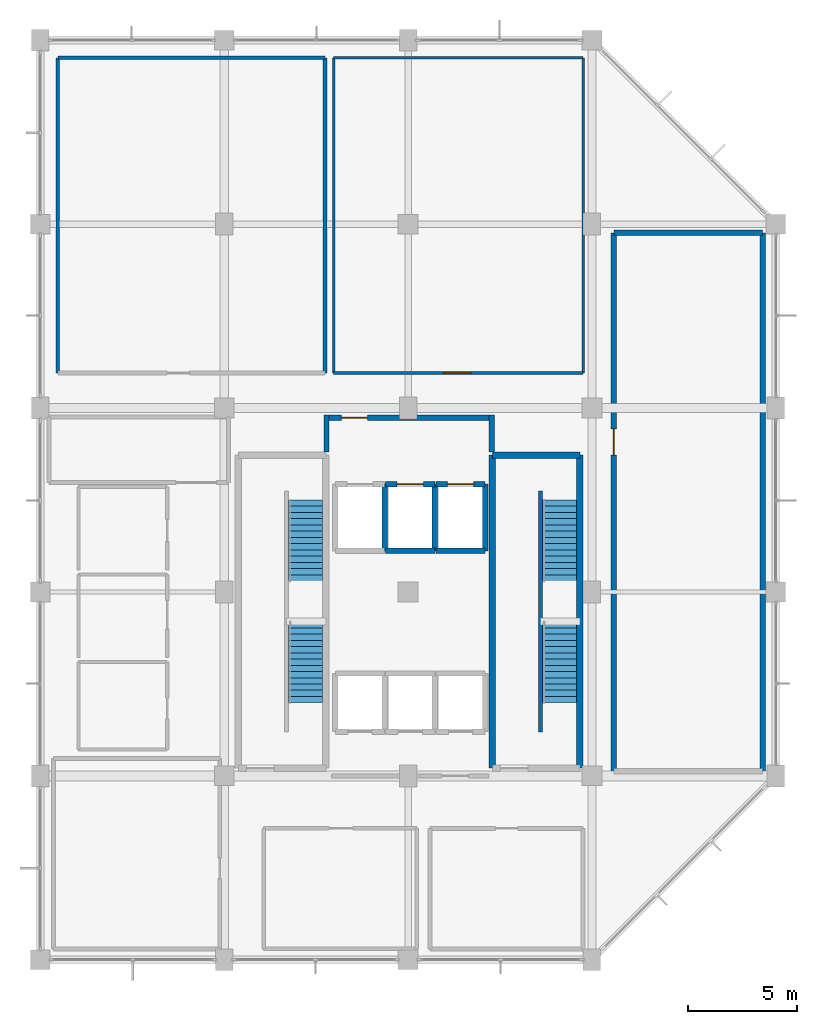
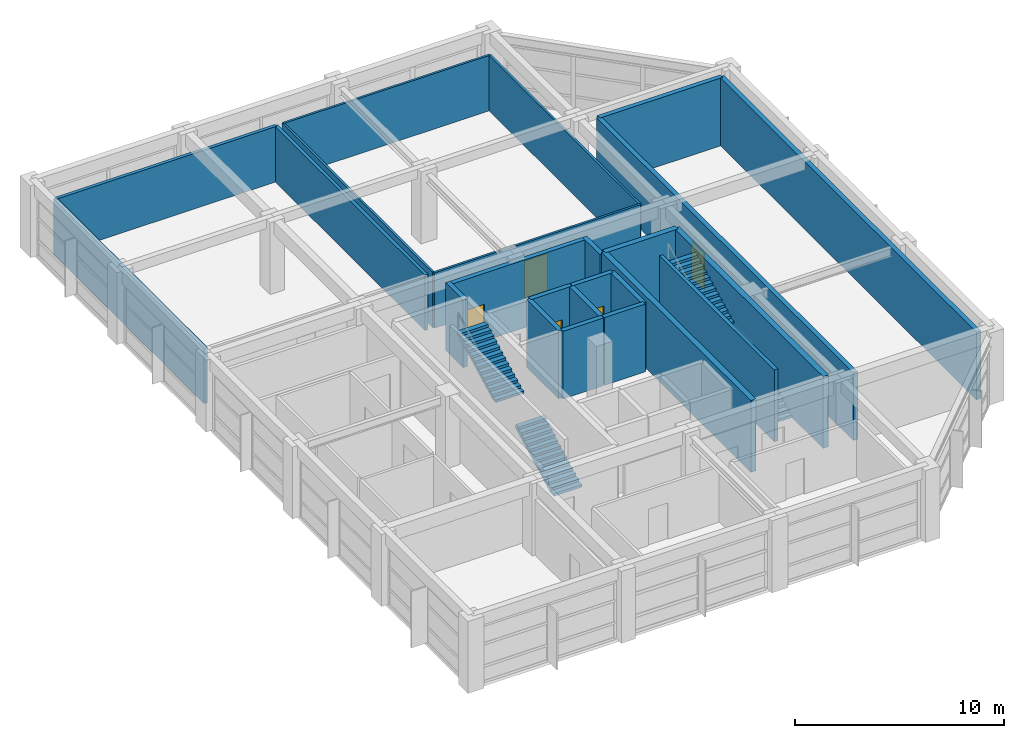
# One storey, part 11 of 12: 24 walls, 5 doors, 4 stair flights, 5 openings, 2 elements without a shape of their own.
"""IFC4 building model written with IfcOpenShell, lengths in metres."""

import ifcopenshell
import ifcopenshell.guid

model = None  # the IFC model being written
_history = None  # IfcOwnerHistory: only IFC2X3 demands one
_inside = {}  # id of a spatial element -> (the spatial element, [elements in it])
_under = {}  # id of a project, library or spatial element -> (it, [spatial elements below it])
_declared = {}  # id of a project -> (the project, [libraries it declares])
_typed = {}  # id of a type object -> (the type object, [elements of that type])
_made_of = {}  # id of a material, layer set ... -> (it, [elements and type objects made of it])


def new_model(schema):
    """Start an empty IFC model of exactly this schema.

    Asked for "IFC4X3", IfcOpenShell would pick the latest addendum, in which some entities
    have other attributes; the version numbers below select the first issue.
    IFC2X3 requires an IfcOwnerHistory on every rooted entity: one is made here for all.
    """
    global model, _history
    if schema == "IFC4X3":
        model = ifcopenshell.file(schema_version=(4, 3, 0, 0))
    else:
        model = ifcopenshell.file(schema=schema)
    _inside.clear()
    _under.clear()
    _declared.clear()
    _typed.clear()
    _made_of.clear()
    _history = None
    if model.schema == "IFC2X3":
        org = make("IfcOrganization", Name="unknown")
        user = make(
            "IfcPersonAndOrganization",
            ThePerson=make("IfcPerson", FamilyName="unknown"),
            TheOrganization=org,
        )
        app = make(
            "IfcApplication",
            ApplicationDeveloper=org,
            Version="unknown",
            ApplicationFullName="unknown",
            ApplicationIdentifier="unknown",
        )
        _history = make(
            "IfcOwnerHistory",
            OwningUser=user,
            OwningApplication=app,
            ChangeAction="ADDED",
            CreationDate=0,
        )
    return model


def make(cls, **values):
    """One entity of the class cls with the attributes given. An attribute that is None is left unset."""
    return model.create_entity(
        cls, **{name: value for name, value in values.items() if value is not None}
    )


def rooted(cls, **values):
    """An entity with a GlobalId (a new one), such as an element, a storey or a relation."""
    return make(cls, GlobalId=ifcopenshell.guid.new(), OwnerHistory=_history, **values)


def si_unit(unit_type, name, prefix=None):
    """IfcSIUnit, for example si_unit("LENGTHUNIT", "METRE", prefix="MILLI")."""
    return make("IfcSIUnit", UnitType=unit_type, Prefix=prefix, Name=name)


def assignment(units):
    """IfcUnitAssignment: the units of a project."""
    return None if units is None else make("IfcUnitAssignment", Units=units)


def point(xyz):
    """IfcCartesianPoint."""
    return None if xyz is None else make("IfcCartesianPoint", Coordinates=xyz)


def direction(xyz):
    """IfcDirection."""
    return None if xyz is None else make("IfcDirection", DirectionRatios=xyz)


def frame(location, z_axis=None, x_axis=None):
    """IfcAxis2Placement3D, a coordinate frame: its origin and axes. An axis left out is left unset."""
    return make(
        "IfcAxis2Placement3D",
        Location=point(location),
        Axis=direction(z_axis),
        RefDirection=direction(x_axis),
    )


def frame_2d(location, x_axis=None):
    """IfcAxis2Placement2D, a coordinate frame in the plane: its origin and x axis."""
    return make(
        "IfcAxis2Placement2D", Location=point(location), RefDirection=direction(x_axis)
    )


def origin():
    """The frame at (0, 0, 0) with its axes left unset."""
    return frame((0.0, 0.0, 0.0))


def place(relative_to, where):
    """IfcLocalPlacement: puts the frame where relative to a parent placement (None: the world)."""
    return make(
        "IfcLocalPlacement", PlacementRelTo=relative_to, RelativePlacement=where
    )


def context(
    kind, dimensions, precision=None, world=None, true_north=None, identifier=None
):
    """IfcGeometricRepresentationContext, for example the 3D "Model" context."""
    return make(
        "IfcGeometricRepresentationContext",
        ContextIdentifier=identifier,
        ContextType=kind,
        CoordinateSpaceDimension=dimensions,
        Precision=precision,
        WorldCoordinateSystem=world,
        TrueNorth=true_north,
    )


def subcontext(parent, identifier, kind, view, scale=None):
    """IfcGeometricRepresentationSubContext, for example "Body" below "Model"."""
    return make(
        "IfcGeometricRepresentationSubContext",
        ContextIdentifier=identifier,
        ContextType=kind,
        ParentContext=parent,
        TargetScale=scale,
        TargetView=view,
    )


def project(units=None, contexts=None):
    """IfcProject with its units and contexts."""
    return rooted(
        "IfcProject",
        Name="project",
        RepresentationContexts=contexts,
        UnitsInContext=assignment(units),
    )


def spatial(cls, under=None, at=None, **own):
    """A site, building, storey or space (cls), placed at a placement, below another one or the project."""
    s = rooted(cls, ObjectPlacement=at, **own)
    if under is not None:
        _under.setdefault(under.id(), (under, []))[1].append(s)
    return s


def polyline(points):
    """IfcPolyline through the points."""
    return make("IfcPolyline", Points=[point(p) for p in points])


def profile(cls, at=None, kind="AREA", **sizes):
    """A parametric profile (cls). Its sizes go by their IFC names, for example OverallWidth=200.0."""
    return make(cls, ProfileType=kind, Position=at, **sizes)


def rectangle(**sizes):
    """IfcRectangleProfileDef."""
    return profile("IfcRectangleProfileDef", **sizes)


def outline(outer, holes=None, kind="AREA"):
    """IfcArbitraryClosedProfileDef: a profile drawn as a closed curve; with holes, ...WithVoids."""
    if holes is None:
        return make("IfcArbitraryClosedProfileDef", ProfileType=kind, OuterCurve=outer)
    return make(
        "IfcArbitraryProfileDefWithVoids",
        ProfileType=kind,
        OuterCurve=outer,
        InnerCurves=holes,
    )


def extrude(swept, where, along, depth):
    """IfcExtrudedAreaSolid: the profile swept, set in the frame where, extruded along a direction by depth."""
    return make(
        "IfcExtrudedAreaSolid",
        SweptArea=swept,
        Position=where,
        ExtrudedDirection=direction(along),
        Depth=depth,
    )


def shape(context_of_items, identifier, shape_type, items):
    """IfcShapeRepresentation: the items that make up one representation, for example the "Body"."""
    return make(
        "IfcShapeRepresentation",
        ContextOfItems=context_of_items,
        RepresentationIdentifier=identifier,
        RepresentationType=shape_type,
        Items=items,
    )


def material(Name=None, Category=None):
    """IfcMaterial."""
    return make("IfcMaterial", Name=Name, Category=Category)


def layer(
    of_material, thickness, ventilated=None, Name=None, Category=None, Priority=None
):
    """IfcMaterialLayer: one layer of a wall or slab, of a material (None: an air gap)."""
    return make(
        "IfcMaterialLayer",
        Material=of_material,
        LayerThickness=thickness,
        IsVentilated=ventilated,
        Name=Name,
        Category=Category,
        Priority=Priority,
    )


def layer_set(layers, Name=None):
    """IfcMaterialLayerSet."""
    return make("IfcMaterialLayerSet", MaterialLayers=layers, LayerSetName=Name)


def made_of(thing, what):
    """Note that an element or type object is made of a material, layer set ...; save() writes the relation."""
    if what is not None:
        _made_of.setdefault(what.id(), (what, []))[1].append(thing)
    return thing


def type_object(cls, material=None, **own):
    """A type object (cls), such as IfcWallType, which elements share."""
    return made_of(rooted(cls, **own), material)


def element(
    cls,
    number,
    at=None,
    inside=None,
    cuts=None,
    type_object=None,
    material=None,
    context=None,
    identifier="Body",
    shape_type=None,
    held_by="IfcProductDefinitionShape",
    body=None,
    shapes=None,
    **own,
):
    """One element of the class cls, such as IfcWall. Its Tag is "e" and its number.

    at: its placement. inside: the storey or other place that contains it. cuts: it is an
    opening in that element (IfcRelVoidsElement). A single representation is given by context,
    identifier, shape_type and body (its items); several are given by shapes. held_by: the class
    of the entity that holds the representations. save() writes the other relations.
    """
    e = rooted(cls, Tag="e%d" % number, ObjectPlacement=at, **own)
    if body is not None:
        shapes = [shape(context, identifier, shape_type, body)]
    if shapes is not None:
        e.Representation = make(held_by, Representations=shapes)
    if inside is not None:
        _inside.setdefault(inside.id(), (inside, []))[1].append(e)
    if cuts is not None:
        rooted(
            "IfcRelVoidsElement", RelatingBuildingElement=cuts, RelatedOpeningElement=e
        )
    if type_object is not None:
        _typed.setdefault(type_object.id(), (type_object, []))[1].append(e)
    return made_of(e, material)


def fill(opening, filler):
    """IfcRelFillsElement: the door or window that sits in an opening."""
    return rooted(
        "IfcRelFillsElement",
        RelatingOpeningElement=opening,
        RelatedBuildingElement=filler,
    )


def aggregate(whole, parts):
    """IfcRelAggregates: a whole, such as a stair, and the parts it consists of."""
    return rooted("IfcRelAggregates", RelatingObject=whole, RelatedObjects=parts)


def save(model, path):
    """Write the relations noted so far, then the file.

    IfcRelAggregates (storeys below a building ...), IfcRelContainedInSpatialStructure (elements
    in a storey), IfcRelDefinesByType, IfcRelAssociatesMaterial and IfcRelDeclares: one each for
    every whole, place, type object, material and project.
    """
    for whole, parts in _under.values():
        aggregate(whole, parts)
    for where, things in _inside.values():
        rooted(
            "IfcRelContainedInSpatialStructure",
            RelatedElements=things,
            RelatingStructure=where,
        )
    for kind, things in _typed.values():
        rooted("IfcRelDefinesByType", RelatedObjects=things, RelatingType=kind)
    for what, things in _made_of.values():
        rooted("IfcRelAssociatesMaterial", RelatedObjects=things, RelatingMaterial=what)
    for by, libraries in _declared.values():
        rooted("IfcRelDeclares", RelatingContext=by, RelatedDefinitions=libraries)
    model.write(path)


model = new_model("IFC4")

# Units and contexts
model_context = context("Model", 3, precision=1e-05, world=origin(), true_north=direction((0.0, 1.0)))
body_context = subcontext(model_context, "Body", "Model", "MODEL_VIEW")
ifc_project = project(units=[si_unit("LENGTHUNIT", "METRE"), si_unit("AREAUNIT", "SQUARE_METRE"), si_unit("VOLUMEUNIT", "CUBIC_METRE"), si_unit("PLANEANGLEUNIT", "RADIAN"), si_unit("MASSUNIT", "GRAM", prefix="KILO")], contexts=[model_context])

# Site, building, storey
site_placement = place(None, origin())
site = spatial("IfcSite", under=ifc_project, at=site_placement, CompositionType="ELEMENT")
building_placement = place(site_placement, origin())
building = spatial("IfcBuilding", under=site, at=building_placement, Name="Xuanlan Plaza Opera House", CompositionType="ELEMENT")
storey_placement = place(building_placement, frame((0.0, 0.0, 61.5)))
storey = spatial("IfcBuildingStorey", under=building, at=storey_placement, Name="L14", CompositionType="ELEMENT", Elevation=61.5)

# Walls
ifc_material_1 = material(Name="Gypsum Board and Galvanised Steel Studs", Category="gypsum")
ifc_layer_1 = layer(ifc_material_1, 0.179931640625)
ifc_layer_set_1 = layer_set([ifc_layer_1], Name="Gypsum Board and Galvanised Steel Studs")
wall_type_1 = type_object("IfcWallType", Name="INT-WL-PW-02", PredefinedType="PARTITIONING", material=ifc_layer_set_1)
wall_1_placement = place(storey_placement, frame((126.800048828125, 83.199951171875, 0.0), z_axis=(0.0, 0.0, 1.0), x_axis=(1.0, 0.0, 0.0)))
element("IfcWall", 1, at=wall_1_placement, inside=storey, type_object=wall_type_1, Name="Endowment Executive Suite West Wall North", PredefinedType="PARTITIONING", context=body_context, shape_type="SweptSolid", body=[
    extrude(rectangle(XDim=12.199951171875, YDim=0.179931640625, at=frame_2d((6.10009765625, 0.0))), origin(), (0.0, 0.0, 1.0), 3.239990234375),
])
for number, where, z_axis, x_axis, name in (
    (2, (126.800048828125, 68.800048828125, 0.0), (0.0, 0.0, 1.0), (0.0, 1.0, 0.0), "Endowment Executive Suite West Wall West"),
    (3, (139.0, 68.800048828125, 0.0), (0.0, 0.0, 1.0), (0.0, 1.0, 0.0), "Endowment Executive Suite West Wall East"),
):
    element("IfcWall", number, at=place(storey_placement, frame(where, z_axis=z_axis, x_axis=x_axis)), inside=storey, type_object=wall_type_1, Name=name, PredefinedType="PARTITIONING", context=body_context, shape_type="SweptSolid", body=[
        extrude(rectangle(XDim=14.39990234375, YDim=0.179931640625, at=frame_2d((7.199951171875, 0.0))), origin(), (0.0, 0.0, 1.0), 3.239990234375),
    ])

# Wall, opening, door
ifc_layer_2 = layer(ifc_material_1, 0.1201171875)
ifc_layer_set_2 = layer_set([ifc_layer_2], Name="Gypsum Board and Galvanised Steel Studs")
wall_type_2 = type_object("IfcWallType", Name="INT-WL-PW-04", PredefinedType="PARTITIONING", material=ifc_layer_set_2)
wall_2_placement = place(storey_placement, frame((139.39990234375, 68.800048828125, 0.0), z_axis=(0.0, 0.0, 1.0), x_axis=(1.0, 0.0, 0.0)))
wall_2 = element("IfcWall", 4, at=wall_2_placement, inside=storey, type_object=wall_type_2, Name="Patron Salon and Cultural Council Room Wall South", PredefinedType="PARTITIONING", context=body_context, shape_type="SweptSolid", body=[
    extrude(rectangle(XDim=11.400146484375, YDim=0.1201171875, at=frame_2d((5.7001953125, 0.0))), origin(), (0.0, 0.0, 1.0), 3.239990234375),
])
opening_1_placement = place(wall_2_placement, frame((5.0, 0.0, 0.0)))
opening_1 = element("IfcOpeningElement", 5, at=opening_1_placement, cuts=wall_2, Name="Opening D-11", PredefinedType="OPENING", context=body_context, shape_type="SweptSolid", body=[
    extrude(rectangle(XDim=1.280029296875, YDim=2.159912109375, at=frame_2d((0.64013671875, 1.080078125))), frame((0.0, 0.070068359375, 0.0), z_axis=(0.0, -1.0, 0.0), x_axis=(1.0, 0.0, 0.0)), (0.0, 0.0, 1.0), 0.14013671875),
])
ifc_material_2 = material(Name="Walnut Hardwood Timber", Category="wood")
door_type_1 = type_object("IfcDoorType", Name="INT-DR-D-11", OperationType="NOTDEFINED", PredefinedType="DOOR", material=ifc_material_2)
door_1_placement = place(opening_1_placement, origin())
door_1 = element("IfcDoor", 6, at=door_1_placement, inside=storey, type_object=door_type_1, Name="Patron Salon and Cultural Council Room Door 1", OperationType="SINGLE_SWING_RIGHT", OverallHeight=2.159912109375, OverallWidth=1.280029296875, PredefinedType="DOOR", context=body_context, shape_type="SweptSolid", body=[
    extrude(rectangle(XDim=1.280029296875, YDim=2.159912109375, at=frame_2d((0.64013671875, 1.080078125))), frame((0.0, 0.02490234375, 0.0), z_axis=(0.0, -1.0, 0.0), x_axis=(1.0, 0.0, 0.0)), (0.0, 0.0, 1.0), 0.050048828125),
])
fill(opening_1, door_1)

# Walls
wall_3_placement = place(storey_placement, frame((139.39990234375, 83.199951171875, 0.0), z_axis=(0.0, 0.0, 1.0), x_axis=(1.0, 0.0, 0.0)))
element("IfcWall", 7, at=wall_3_placement, inside=storey, type_object=wall_type_2, Name="Patron Salon and Cultural Council Room Wall North", PredefinedType="PARTITIONING", context=body_context, shape_type="SweptSolid", body=[
    extrude(rectangle(XDim=11.400146484375, YDim=0.1201171875, at=frame_2d((5.7001953125, 0.0))), origin(), (0.0, 0.0, 1.0), 3.239990234375),
])
for number, where, z_axis, x_axis, name in (
    (8, (139.39990234375, 68.800048828125, 0.0), (0.0, 0.0, 1.0), (0.0, 1.0, 0.0), "Patron Salon and Cultural Council Room Wall West"),
    (9, (150.800048828125, 68.800048828125, 0.0), (0.0, 0.0, 1.0), (0.0, 1.0, 0.0), "Patron Salon and Cultural Council Room Wall East"),
):
    element("IfcWall", number, at=place(storey_placement, frame(where, z_axis=z_axis, x_axis=x_axis)), inside=storey, type_object=wall_type_2, Name=name, PredefinedType="PARTITIONING", context=body_context, shape_type="SweptSolid", body=[
        extrude(rectangle(XDim=14.39990234375, YDim=0.1201171875, at=frame_2d((7.199951171875, 0.0))), origin(), (0.0, 0.0, 1.0), 3.239990234375),
    ])
ifc_material_3 = material(Name="Concrete C40", Category="concrete")
ifc_layer_3 = layer(ifc_material_3, 0.25)
ifc_layer_set_3 = layer_set([ifc_layer_3], Name="Concrete C40")
wall_type_3 = type_object("IfcWallType", Name="INT-WL-SW-LF1", PredefinedType="SHEAR", material=ifc_layer_set_3)
wall_4_placement = place(storey_placement, frame((141.72509765625, 60.675048828125, 0.0), z_axis=(0.0, 0.0, 1.0), x_axis=(0.0, 1.0, 0.0)))
element("IfcWall", 10, at=wall_4_placement, inside=storey, type_object=wall_type_3, Name="Lift Shaft Wall LF-FF1 L14 East", PredefinedType="SHEAR", context=body_context, shape_type="SweptSolid", body=[
    extrude(rectangle(XDim=3.050048828125, YDim=0.25, at=frame_2d((1.52490234375, 0.0))), origin(), (0.0, 0.0, 1.0), 3.9599609375),
])
wall_5_placement = place(storey_placement, frame((141.77490234375, 60.675048828125, 0.0), z_axis=(0.0, 0.0, 1.0), x_axis=(1.0, 0.0, 0.0)))
element("IfcWall", 11, at=wall_5_placement, inside=storey, type_object=wall_type_3, Name="Lift Shaft Wall LF-FF2 L14 South", PredefinedType="SHEAR", context=body_context, shape_type="SweptSolid", body=[
    extrude(rectangle(XDim=2.25, YDim=0.25, at=frame_2d((1.125, 0.0))), origin(), (0.0, 0.0, 1.0), 3.9599609375),
])

# Wall, opening, door
wall_6_placement = place(storey_placement, frame((141.77490234375, 63.72509765625, 0.0), z_axis=(0.0, 0.0, 1.0), x_axis=(1.0, 0.0, 0.0)))
wall_6 = element("IfcWall", 12, at=wall_6_placement, inside=storey, type_object=wall_type_3, Name="Lift Shaft Wall LF-FF2 L14 North", PredefinedType="SHEAR", context=body_context, shape_type="SweptSolid", body=[
    extrude(rectangle(XDim=2.25, YDim=0.25, at=frame_2d((1.125, 0.0))), origin(), (0.0, 0.0, 1.0), 3.9599609375),
])
opening_2_placement = place(wall_6_placement, frame((0.52490234375, 0.0, 0.0)))
opening_2 = element("IfcOpeningElement", 13, at=opening_2_placement, cuts=wall_6, Name="Opening LD-FF2-L14", PredefinedType="OPENING", context=body_context, shape_type="SweptSolid", body=[
    extrude(rectangle(XDim=1.199951171875, YDim=2.179931640625, at=frame_2d((0.60009765625, 1.08984375))), frame((0.0, 0.135009765625, 0.0), z_axis=(0.0, -1.0, 0.0), x_axis=(1.0, 0.0, 0.0)), (0.0, 0.0, 1.0), 0.27001953125),
])
ifc_material_4 = material(Name="Stainless Steel S30408", Category="steel")
door_type_2 = type_object("IfcDoorType", Name="INT-DR-LD-02", OperationType="DOUBLE_DOOR_SLIDING", PredefinedType="DOOR", material=ifc_material_4)
door_2_placement = place(opening_2_placement, origin())
door_2 = element("IfcDoor", 14, at=door_2_placement, inside=storey, type_object=door_type_2, Name="Lift Sliding Landing Door LF-FF2 L14", OperationType="DOUBLE_DOOR_SLIDING", OverallHeight=2.179931640625, OverallWidth=1.199951171875, PredefinedType="DOOR", context=body_context, shape_type="SweptSolid", body=[
    extrude(rectangle(XDim=1.199951171875, YDim=2.179931640625, at=frame_2d((0.60009765625, 1.08984375))), frame((0.0, 0.02490234375, 0.0), z_axis=(0.0, -1.0, 0.0), x_axis=(1.0, 0.0, 0.0)), (0.0, 0.0, 1.0), 0.050048828125),
])
fill(opening_2, door_2)

# Walls
wall_7_placement = place(storey_placement, frame((144.02490234375, 60.675048828125, 0.0), z_axis=(0.0, 0.0, 1.0), x_axis=(0.0, 1.0, 0.0)))
element("IfcWall", 15, at=wall_7_placement, inside=storey, type_object=wall_type_3, Name="Lift Shaft Wall LF-FF2 L14 East", PredefinedType="SHEAR", context=body_context, shape_type="SweptSolid", body=[
    extrude(rectangle(XDim=3.050048828125, YDim=0.25, at=frame_2d((1.52490234375, 0.0))), origin(), (0.0, 0.0, 1.0), 3.9599609375),
])
wall_8_placement = place(storey_placement, frame((144.074951171875, 60.675048828125, 0.0), z_axis=(0.0, 0.0, 1.0), x_axis=(1.0, 0.0, 0.0)))
element("IfcWall", 16, at=wall_8_placement, inside=storey, type_object=wall_type_3, Name="Lift Shaft Wall LF-FF3 L14 South", PredefinedType="SHEAR", context=body_context, shape_type="SweptSolid", body=[
    extrude(rectangle(XDim=2.25, YDim=0.25, at=frame_2d((1.125, 0.0))), origin(), (0.0, 0.0, 1.0), 3.9599609375),
])

# Wall, opening, door
wall_9_placement = place(storey_placement, frame((144.074951171875, 63.72509765625, 0.0), z_axis=(0.0, 0.0, 1.0), x_axis=(1.0, 0.0, 0.0)))
wall_9 = element("IfcWall", 17, at=wall_9_placement, inside=storey, type_object=wall_type_3, Name="Lift Shaft Wall LF-FF3 L14 North", PredefinedType="SHEAR", context=body_context, shape_type="SweptSolid", body=[
    extrude(rectangle(XDim=2.25, YDim=0.25, at=frame_2d((1.125, 0.0))), origin(), (0.0, 0.0, 1.0), 3.9599609375),
])
opening_3_placement = place(wall_9_placement, frame((0.52490234375, 0.0, 0.0)))
opening_3 = element("IfcOpeningElement", 18, at=opening_3_placement, cuts=wall_9, Name="Opening LD-FF3-L14", PredefinedType="OPENING", context=body_context, shape_type="SweptSolid", body=[
    extrude(rectangle(XDim=1.199951171875, YDim=2.179931640625, at=frame_2d((0.60009765625, 1.08984375))), frame((0.0, 0.135009765625, 0.0), z_axis=(0.0, -1.0, 0.0), x_axis=(1.0, 0.0, 0.0)), (0.0, 0.0, 1.0), 0.27001953125),
])
door_3_placement = place(opening_3_placement, origin())
door_3 = element("IfcDoor", 19, at=door_3_placement, inside=storey, type_object=door_type_2, Name="Lift Sliding Landing Door LF-FF3 L14", OperationType="DOUBLE_DOOR_SLIDING", OverallHeight=2.179931640625, OverallWidth=1.199951171875, PredefinedType="DOOR", context=body_context, shape_type="SweptSolid", body=[
    extrude(rectangle(XDim=1.199951171875, YDim=2.179931640625, at=frame_2d((0.60009765625, 1.08984375))), frame((0.0, 0.02490234375, 0.0), z_axis=(0.0, -1.0, 0.0), x_axis=(1.0, 0.0, 0.0)), (0.0, 0.0, 1.0), 0.050048828125),
])
fill(opening_3, door_3)

# Walls
wall_10_placement = place(storey_placement, frame((146.324951171875, 60.675048828125, 0.0), z_axis=(0.0, 0.0, 1.0), x_axis=(0.0, 1.0, 0.0)))
element("IfcWall", 20, at=wall_10_placement, inside=storey, type_object=wall_type_3, Name="Lift Shaft Wall LF-FF3 L14 East", PredefinedType="SHEAR", context=body_context, shape_type="SweptSolid", body=[
    extrude(rectangle(XDim=3.050048828125, YDim=0.25, at=frame_2d((1.52490234375, 0.0))), origin(), (0.0, 0.0, 1.0), 3.9599609375),
])
for number, where, z_axis, x_axis, name in (
    (21, (139.074951171875, 65.199951171875, 0.0), (0.0, 0.0, 1.0), (0.0, 1.0, 0.0), "Firefighting Lift Lobby Enclosure Wall L14 W"),
    (22, (146.625, 65.199951171875, 0.0), (0.0, 0.0, 1.0), (0.0, 1.0, 0.0), "Firefighting Lift Lobby Enclosure Wall L14 E"),
):
    element("IfcWall", number, at=place(storey_placement, frame(where, z_axis=z_axis, x_axis=x_axis)), inside=storey, type_object=wall_type_3, Name=name, PredefinedType="SHEAR", context=body_context, shape_type="SweptSolid", body=[
        extrude(rectangle(XDim=1.675048828125, YDim=0.25, at=frame_2d((0.83740234375, 0.0))), origin(), (0.0, 0.0, 1.0), 3.9599609375),
    ])

# Wall, opening, door
wall_11_placement = place(storey_placement, frame((139.199951171875, 66.75, 0.0), z_axis=(0.0, 0.0, 1.0), x_axis=(1.0, 0.0, 0.0)))
wall_11 = element("IfcWall", 23, at=wall_11_placement, inside=storey, type_object=wall_type_3, Name="Firefighting Lift Lobby Wall North", PredefinedType="SHEAR", context=body_context, shape_type="SweptSolid", body=[
    extrude(rectangle(XDim=7.300048828125, YDim=0.25, at=frame_2d((3.64990234375, 0.0))), origin(), (0.0, 0.0, 1.0), 3.9599609375),
])
opening_4_placement = place(wall_11_placement, frame((0.550048828125, 0.0, 0.0)))
opening_4 = element("IfcOpeningElement", 24, at=opening_4_placement, cuts=wall_11, Name="Opening FD-02", PredefinedType="OPENING", context=body_context, shape_type="SweptSolid", body=[
    extrude(rectangle(XDim=1.199951171875, YDim=2.14990234375, at=frame_2d((0.60009765625, 1.074951171875))), frame((0.0, 0.135009765625, 0.0), z_axis=(0.0, -1.0, 0.0), x_axis=(1.0, 0.0, 0.0)), (0.0, 0.0, 1.0), 0.27001953125),
])
ifc_material_5 = material(Name="Galvanised Steel Q235B", Category="steel")
door_type_3 = type_object("IfcDoorType", Name="INT-DR-FD-02", OperationType="NOTDEFINED", PredefinedType="DOOR", material=ifc_material_5)
door_4_placement = place(opening_4_placement, origin())
door_4 = element("IfcDoor", 25, at=door_4_placement, inside=storey, type_object=door_type_3, Name="Firefighting Lift Lobby Door 1", OperationType="SINGLE_SWING_RIGHT", OverallHeight=2.14990234375, OverallWidth=1.199951171875, PredefinedType="DOOR", context=body_context, shape_type="SweptSolid", body=[
    extrude(rectangle(XDim=1.199951171875, YDim=2.14990234375, at=frame_2d((0.60009765625, 1.074951171875))), frame((0.0, 0.02490234375, 0.0), z_axis=(0.0, -1.0, 0.0), x_axis=(1.0, 0.0, 0.0)), (0.0, 0.0, 1.0), 0.050048828125),
])
fill(opening_4, door_4)

# Wall
wall_12_placement = place(storey_placement, frame((152.199951171875, 75.199951171875, 0.0), z_axis=(0.0, 0.0, 1.0), x_axis=(1.0, 0.0, 0.0)))
element("IfcWall", 26, at=wall_12_placement, inside=storey, type_object=wall_type_3, Name="Orchestral Sheet-Music Archive Wall North", PredefinedType="SHEAR", context=body_context, shape_type="SweptSolid", body=[
    extrude(rectangle(XDim=6.800048828125, YDim=0.25, at=frame_2d((3.39990234375, 0.0))), origin(), (0.0, 0.0, 1.0), 3.9599609375),
])

# Wall, opening, door
wall_13_placement = place(storey_placement, frame((152.199951171875, 50.60009765625, 0.0), z_axis=(0.0, 0.0, 1.0), x_axis=(0.0, 1.0, 0.0)))
wall_13 = element("IfcWall", 27, at=wall_13_placement, inside=storey, type_object=wall_type_3, Name="Orchestral Sheet-Music Archive Wall West", PredefinedType="SHEAR", context=body_context, shape_type="SweptSolid", body=[
    extrude(rectangle(XDim=24.599853515625, YDim=0.25, at=frame_2d((12.2998046875, 0.0))), origin(), (0.0, 0.0, 1.0), 3.9599609375),
])
opening_5_placement = place(wall_13_placement, frame((14.449951171875, 0.0, 0.0)))
opening_5 = element("IfcOpeningElement", 28, at=opening_5_placement, cuts=wall_13, Name="Opening FD-02", PredefinedType="OPENING", context=body_context, shape_type="SweptSolid", body=[
    extrude(rectangle(XDim=1.199951171875, YDim=2.14990234375, at=frame_2d((0.60009765625, 1.074951171875))), frame((0.0, 0.135009765625, 0.0), z_axis=(0.0, -1.0, 0.0), x_axis=(1.0, 0.0, 0.0)), (0.0, 0.0, 1.0), 0.27001953125),
])
door_5_placement = place(opening_5_placement, origin())
door_5 = element("IfcDoor", 29, at=door_5_placement, inside=storey, type_object=door_type_3, Name="Orchestral Sheet-Music Archive Door 1", OperationType="SINGLE_SWING_RIGHT", OverallHeight=2.14990234375, OverallWidth=1.199951171875, PredefinedType="DOOR", context=body_context, shape_type="SweptSolid", body=[
    extrude(rectangle(XDim=1.199951171875, YDim=2.14990234375, at=frame_2d((0.60009765625, 1.074951171875))), frame((0.0, 0.02490234375, 0.0), z_axis=(0.0, -1.0, 0.0), x_axis=(1.0, 0.0, 0.0)), (0.0, 0.0, 1.0), 0.050048828125),
])
fill(opening_5, door_5)

# Walls
wall_14_placement = place(storey_placement, frame((159.0, 50.60009765625, 0.0), z_axis=(0.0, 0.0, 1.0), x_axis=(0.0, 1.0, 0.0)))
element("IfcWall", 30, at=wall_14_placement, inside=storey, type_object=wall_type_3, Name="Orchestral Sheet-Music Archive Wall East", PredefinedType="SHEAR", context=body_context, shape_type="SweptSolid", body=[
    extrude(rectangle(XDim=24.599853515625, YDim=0.25, at=frame_2d((12.2998046875, 0.0))), origin(), (0.0, 0.0, 1.0), 3.9599609375),
])
ifc_layer_4 = layer(ifc_material_3, 0.199951171875)
ifc_layer_set_4 = layer_set([ifc_layer_4], Name="Concrete C40")
wall_type_4 = type_object("IfcWallType", Name="INT-WL-SW-SPN", PredefinedType="SHEAR", material=ifc_layer_set_4)
wall_15_placement = place(storey_placement, frame((148.85009765625, 52.39990234375, 0.0), z_axis=(0.0, 0.0, 1.0), x_axis=(0.0, 1.0, 0.0)))
element("IfcWall", 31, at=wall_15_placement, inside=storey, type_object=wall_type_4, Name="Stair Structural Spine Wall ST-T2 L14", PredefinedType="SHEAR", context=body_context, shape_type="SweptSolid", body=[
    extrude(rectangle(XDim=11.0, YDim=0.199951171875, at=frame_2d((5.5, 0.0))), origin(), (0.0, 0.0, 1.0), 4.199951171875),
])
ifc_layer_5 = layer(ifc_material_3, 0.300048828125)
ifc_layer_set_5 = layer_set([ifc_layer_5], Name="Concrete C40")
wall_type_5 = type_object("IfcWallType", Name="INT-WL-SW-ST1", PredefinedType="SHEAR", material=ifc_layer_set_5)
wall_16_placement = place(storey_placement, frame((146.64990234375, 65.050048828125, 0.0), z_axis=(0.0, 0.0, 1.0), x_axis=(1.0, 0.0, 0.0)))
element("IfcWall", 32, at=wall_16_placement, inside=storey, type_object=wall_type_5, Name="Stair Core Wall ST-T2 L14 North", PredefinedType="SHEAR", context=body_context, shape_type="SweptSolid", body=[
    extrude(rectangle(XDim=4.0, YDim=0.300048828125, at=frame_2d((2.0, 0.0))), origin(), (0.0, 0.0, 1.0), 4.199951171875),
])
for number, where, z_axis, x_axis, name in (
    (33, (146.64990234375, 50.75, 0.0), (0.0, 0.0, 1.0), (0.0, 1.0, 0.0), "Stair Core Wall ST-T2 L14 West"),
    (34, (150.64990234375, 50.75, 0.0), (0.0, 0.0, 1.0), (0.0, 1.0, 0.0), "Stair Core Wall ST-T2 L14 East"),
):
    element("IfcWall", number, at=place(storey_placement, frame(where, z_axis=z_axis, x_axis=x_axis)), inside=storey, type_object=wall_type_5, Name=name, PredefinedType="SHEAR", context=body_context, shape_type="SweptSolid", body=[
        extrude(rectangle(XDim=14.300048828125, YDim=0.300048828125, at=frame_2d((7.14990234375, 0.0))), origin(), (0.0, 0.0, 1.0), 4.199951171875),
    ])

# Stair, stair flights
stair_type = type_object("IfcStairType", Name="INT-ST-STR-T155", PredefinedType="STRAIGHT_RUN_STAIR", material=ifc_material_3)
stair_1_placement = place(storey_placement, origin())
stair_1 = element("IfcStair", 35, at=stair_1_placement, inside=storey, type_object=stair_type, Name="Protected Exit Stair ST-T1 L14", PredefinedType="STRAIGHT_RUN_STAIR")
ifc_layer_6 = layer(ifc_material_3, 0.159912109375)
ifc_layer_set_6 = layer_set([ifc_layer_6], Name="Concrete C40")
stair_flight_type = type_object("IfcStairFlightType", Name="INT-FL-FL-155", PredefinedType="STRAIGHT", material=ifc_layer_set_6)
stair_flight_1_placement = place(storey_placement, frame((138.125, 53.739990234375, 0.0), z_axis=(0.0, 0.0, 1.0), x_axis=(0.0, 1.0, 0.0)))
stair_flight_1 = element("IfcStairFlight", 36, at=stair_flight_1_placement, type_object=stair_flight_type, Name="ST-T1-L14 flight 1", NumberOfRisers=14, NumberOfTreads=13, PredefinedType="STRAIGHT", RiserHeight=0.15, TreadLength=0.285, context=body_context, shape_type="SweptSolid", body=[
    extrude(outline(polyline([(0.0, 0.0), (0.0, 0.14990234375), (0.284912109375, 0.14990234375), (0.284912109375, 0.300048828125), (0.570068359375, 0.300048828125), (0.570068359375, 0.449951171875), (0.85498046875, 0.449951171875), (0.85498046875, 0.60009765625), (1.139892578125, 0.60009765625), (1.139892578125, 0.75), (1.425048828125, 0.75), (1.425048828125, 0.89990234375), (1.7099609375, 0.89990234375), (1.7099609375, 1.050048828125), (1.9951171875, 1.050048828125), (1.9951171875, 1.199951171875), (2.280029296875, 1.199951171875), (2.280029296875, 1.35009765625), (2.56494140625, 1.35009765625), (2.56494140625, 1.5), (2.85009765625, 1.5), (2.85009765625, 1.64990234375), (3.135009765625, 1.64990234375), (3.135009765625, 1.800048828125), (3.419921875, 1.800048828125), (3.419921875, 1.949951171875), (3.705078125, 1.949951171875), (3.705078125, 2.10009765625), (3.705078125, 1.769287109375), (0.34326171875, 0.0), (0.0, 0.0)])), frame((0.0, 0.77490234375, 0.0), z_axis=(0.0, -1.0, 0.0), x_axis=(1.0, 0.0, 0.0)), (0.0, 0.0, 1.0), 1.550048828125),
])
stair_flight_2_placement = place(storey_placement, frame((138.125, 59.294921875, 2.10009765625), z_axis=(0.0, 0.0, 1.0), x_axis=(0.0, 1.0, 0.0)))
stair_flight_2 = element("IfcStairFlight", 37, at=stair_flight_2_placement, type_object=stair_flight_type, Name="ST-T1-L14 flight 2", NumberOfRisers=14, NumberOfTreads=13, PredefinedType="STRAIGHT", RiserHeight=0.15, TreadLength=0.285, context=body_context, shape_type="SweptSolid", body=[
    extrude(outline(polyline([(0.0, 0.0), (0.0, 0.14990234375), (0.284912109375, 0.14990234375), (0.284912109375, 0.300048828125), (0.570068359375, 0.300048828125), (0.570068359375, 0.449951171875), (0.85498046875, 0.449951171875), (0.85498046875, 0.60009765625), (1.139892578125, 0.60009765625), (1.139892578125, 0.75), (1.425048828125, 0.75), (1.425048828125, 0.89990234375), (1.7099609375, 0.89990234375), (1.7099609375, 1.050048828125), (1.9951171875, 1.050048828125), (1.9951171875, 1.199951171875), (2.280029296875, 1.199951171875), (2.280029296875, 1.35009765625), (2.56494140625, 1.35009765625), (2.56494140625, 1.5), (2.85009765625, 1.5), (2.85009765625, 1.64990234375), (3.135009765625, 1.64990234375), (3.135009765625, 1.800048828125), (3.419921875, 1.800048828125), (3.419921875, 1.949951171875), (3.705078125, 1.949951171875), (3.705078125, 2.10009765625), (3.705078125, 1.769287109375), (0.34326171875, 0.0), (0.0, 0.0)])), frame((0.0, 0.77490234375, 0.0), z_axis=(0.0, -1.0, 0.0), x_axis=(1.0, 0.0, 0.0)), (0.0, 0.0, 1.0), 1.550048828125),
])
aggregate(stair_1, [stair_flight_1, stair_flight_2])

stair_2_placement = place(storey_placement, origin())
stair_2 = element("IfcStair", 38, at=stair_2_placement, inside=storey, type_object=stair_type, Name="Protected Exit Stair ST-T2 L14", PredefinedType="STRAIGHT_RUN_STAIR")
stair_flight_3_placement = place(storey_placement, frame((149.72509765625, 53.739990234375, 0.0), z_axis=(0.0, 0.0, 1.0), x_axis=(0.0, 1.0, 0.0)))
stair_flight_3 = element("IfcStairFlight", 39, at=stair_flight_3_placement, type_object=stair_flight_type, Name="ST-T2-L14 flight 1", NumberOfRisers=14, NumberOfTreads=13, PredefinedType="STRAIGHT", RiserHeight=0.15, TreadLength=0.285, context=body_context, shape_type="SweptSolid", body=[
    extrude(outline(polyline([(0.0, 0.0), (0.0, 0.14990234375), (0.284912109375, 0.14990234375), (0.284912109375, 0.300048828125), (0.570068359375, 0.300048828125), (0.570068359375, 0.449951171875), (0.85498046875, 0.449951171875), (0.85498046875, 0.60009765625), (1.139892578125, 0.60009765625), (1.139892578125, 0.75), (1.425048828125, 0.75), (1.425048828125, 0.89990234375), (1.7099609375, 0.89990234375), (1.7099609375, 1.050048828125), (1.9951171875, 1.050048828125), (1.9951171875, 1.199951171875), (2.280029296875, 1.199951171875), (2.280029296875, 1.35009765625), (2.56494140625, 1.35009765625), (2.56494140625, 1.5), (2.85009765625, 1.5), (2.85009765625, 1.64990234375), (3.135009765625, 1.64990234375), (3.135009765625, 1.800048828125), (3.419921875, 1.800048828125), (3.419921875, 1.949951171875), (3.705078125, 1.949951171875), (3.705078125, 2.10009765625), (3.705078125, 1.769287109375), (0.34326171875, 0.0), (0.0, 0.0)])), frame((0.0, 0.77490234375, 0.0), z_axis=(0.0, -1.0, 0.0), x_axis=(1.0, 0.0, 0.0)), (0.0, 0.0, 1.0), 1.550048828125),
])
stair_flight_4_placement = place(storey_placement, frame((149.72509765625, 59.294921875, 2.10009765625), z_axis=(0.0, 0.0, 1.0), x_axis=(0.0, 1.0, 0.0)))
stair_flight_4 = element("IfcStairFlight", 40, at=stair_flight_4_placement, type_object=stair_flight_type, Name="ST-T2-L14 flight 2", NumberOfRisers=14, NumberOfTreads=13, PredefinedType="STRAIGHT", RiserHeight=0.15, TreadLength=0.285, context=body_context, shape_type="SweptSolid", body=[
    extrude(outline(polyline([(0.0, 0.0), (0.0, 0.14990234375), (0.284912109375, 0.14990234375), (0.284912109375, 0.300048828125), (0.570068359375, 0.300048828125), (0.570068359375, 0.449951171875), (0.85498046875, 0.449951171875), (0.85498046875, 0.60009765625), (1.139892578125, 0.60009765625), (1.139892578125, 0.75), (1.425048828125, 0.75), (1.425048828125, 0.89990234375), (1.7099609375, 0.89990234375), (1.7099609375, 1.050048828125), (1.9951171875, 1.050048828125), (1.9951171875, 1.199951171875), (2.280029296875, 1.199951171875), (2.280029296875, 1.35009765625), (2.56494140625, 1.35009765625), (2.56494140625, 1.5), (2.85009765625, 1.5), (2.85009765625, 1.64990234375), (3.135009765625, 1.64990234375), (3.135009765625, 1.800048828125), (3.419921875, 1.800048828125), (3.419921875, 1.949951171875), (3.705078125, 1.949951171875), (3.705078125, 2.10009765625), (3.705078125, 1.769287109375), (0.34326171875, 0.0), (0.0, 0.0)])), frame((0.0, 0.77490234375, 0.0), z_axis=(0.0, -1.0, 0.0), x_axis=(1.0, 0.0, 0.0)), (0.0, 0.0, 1.0), 1.550048828125),
])
aggregate(stair_2, [stair_flight_3, stair_flight_4])

save(model, "model.ifc")
